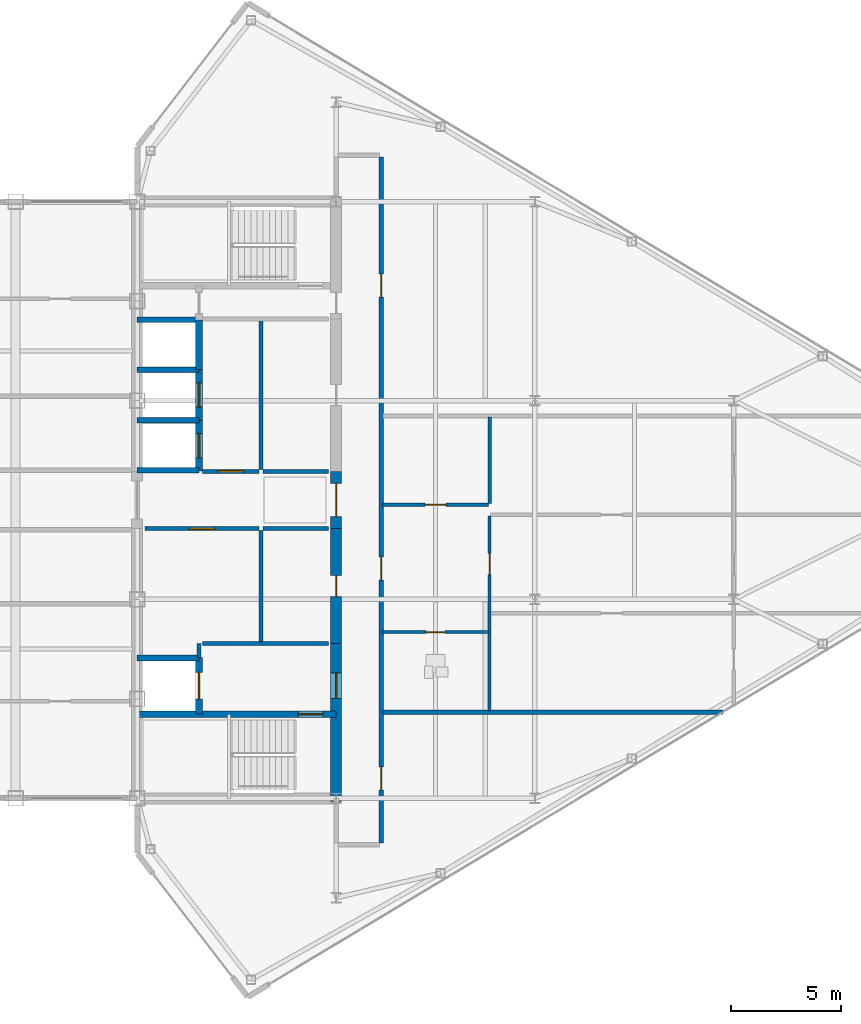
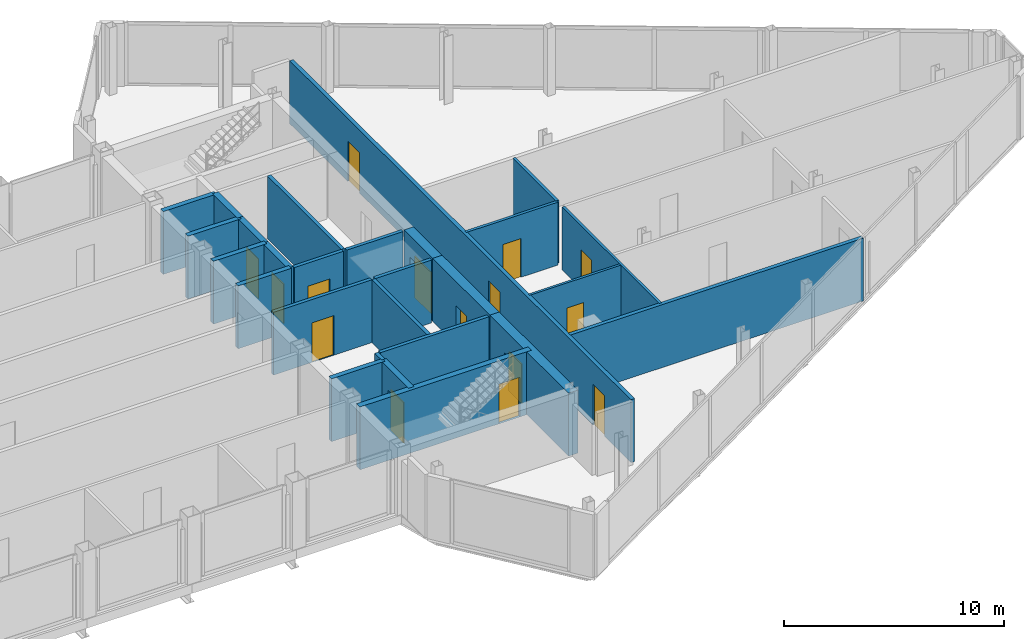
# One storey, part 24 of 28: 27 walls, 15 doors, 15 openings.
"""IFC4 building model written with IfcOpenShell, lengths in metres."""

from ifc_helpers import new_model, si_unit, direction, frame, frame_2d, origin, place, context, subcontext, project, spatial, rectangle, extrude, source, transform, mapped, material, layer, layer_set, type_object, type_shapes, element, fill, save


model = new_model("IFC4")

# Units and contexts
model_context = context("Model", 3, precision=1e-05, world=origin(), true_north=direction((0.0, 1.0)))
body_context = subcontext(model_context, "Body", "Model", "MODEL_VIEW")
ifc_project = project(units=[si_unit("LENGTHUNIT", "METRE"), si_unit("AREAUNIT", "SQUARE_METRE"), si_unit("VOLUMEUNIT", "CUBIC_METRE"), si_unit("PLANEANGLEUNIT", "RADIAN"), si_unit("MASSUNIT", "GRAM", prefix="KILO")], contexts=[model_context])

# Site, building, storey
site_placement = place(None, origin())
site = spatial("IfcSite", under=ifc_project, at=site_placement, CompositionType="ELEMENT")
building_placement = place(site_placement, origin())
building = spatial("IfcBuilding", under=site, at=building_placement, Name="Seokmaru Belvedere", CompositionType="ELEMENT")
storey_placement = place(building_placement, frame((0.0, 0.0, 265.64990234375)))
storey = spatial("IfcBuildingStorey", under=building, at=storey_placement, Name="L70", CompositionType="ELEMENT", Elevation=265.64990234375)

# Wall, opening, door
ifc_material_1 = material(Name="Fire-Rated Gypsum Shaftwall")
ifc_layer_1 = layer(ifc_material_1, 0.14990234375)
ifc_layer_set_1 = layer_set([ifc_layer_1], Name="Fire-Rated Gypsum Shaftwall")
wall_type_1 = type_object("IfcWallType", Name="Apartment Fire-Acoustic Room Partition 150", PredefinedType="PARTITIONING", material=ifc_layer_set_1)
wall_1_placement = place(storey_placement, frame((38.60009765625, -0.219970703125, 0.0), z_axis=(0.0, 0.0, 1.0), x_axis=(1.0, 0.0, 0.0)))
wall_1 = element("IfcWall", 1, at=wall_1_placement, inside=storey, type_object=wall_type_1, Name="L70 Interior Partition 014", PredefinedType="PARTITIONING", context=body_context, shape_type="SweptSolid", body=[
    extrude(rectangle(XDim=4.7998046875, YDim=0.14990234375, at=frame_2d((2.39990234375, 0.0))), origin(), (0.0, 0.0, 1.0), 3.489990234375),
])
opening_1_placement = place(wall_1_placement, frame((1.925048828125, 0.0, 0.0)))
opening_1 = element("IfcOpeningElement", 2, at=opening_1_placement, cuts=wall_1, Name="Opening D05", PredefinedType="OPENING", context=body_context, shape_type="SweptSolid", body=[
    extrude(rectangle(XDim=0.949951171875, YDim=2.14990234375, at=frame_2d((0.47509765625, 1.074951171875))), frame((0.0, 0.0849609375, 0.0), z_axis=(0.0, -1.0, 0.0), x_axis=(1.0, 0.0, 0.0)), (0.0, 0.0, 1.0), 0.169921875),
])
ifc_material_2 = material(Name="Engineered White Oak Timber", Category="wood")
door_type_1 = type_object("IfcDoorType", Name="Apartment Interior Fire-Rated Oak Door 950x2150", OperationType="NOTDEFINED", PredefinedType="DOOR", material=ifc_material_2)
shared_shape_1 = source(origin(), body_context, "Body", "SweptSolid", [
    extrude(rectangle(XDim=0.949951171875, YDim=2.14990234375, at=frame_2d((0.47509765625, 1.074951171875))), frame((0.0, 0.02490234375, 0.0), z_axis=(0.0, -1.0, 0.0), x_axis=(1.0, 0.0, 0.0)), (0.0, 0.0, 1.0), 0.050048828125),
])
type_shapes(door_type_1, [shared_shape_1])
door_1_placement = place(opening_1_placement, origin())
door_1 = element("IfcDoor", 3, at=door_1_placement, inside=storey, type_object=door_type_1, Name="L70 Interior Door 006", OperationType="SINGLE_SWING_RIGHT", OverallHeight=2.14990234375, OverallWidth=0.949951171875, PredefinedType="DOOR", context=body_context, shape_type="MappedRepresentation", body=[
    mapped(shared_shape_1, transform((0.0, 0.0, 0.0), scale=1.0)),
])
fill(opening_1, door_1)

# Walls
wall_2_placement = place(storey_placement, frame((43.449951171875, -0.16796875, 0.0), z_axis=(0.0, 0.0, 1.0), x_axis=(0.0, 1.0, 0.0)))
element("IfcWall", 4, at=wall_2_placement, inside=storey, type_object=wall_type_1, Name="L70 Interior Partition 051", PredefinedType="PARTITIONING", context=body_context, shape_type="SweptSolid", body=[
    extrude(rectangle(XDim=3.91796875, YDim=0.14990234375, at=frame_2d((1.958984375, 0.0))), origin(), (0.0, 0.0, 1.0), 3.489990234375),
])
ifc_layer_2 = layer(ifc_material_1, 0.179931640625)
ifc_layer_set_2 = layer_set([ifc_layer_2], Name="Fire-Rated Gypsum Shaftwall")
wall_type_2 = type_object("IfcWallType", Name="Core Service Fire Partition 180", PredefinedType="PARTITIONING", material=ifc_layer_set_2)
wall_3_placement = place(storey_placement, frame((30.449951171875, -6.5, 0.0), z_axis=(0.0, 0.0, 1.0), x_axis=(1.0, 0.0, 0.0)))
element("IfcWall", 5, at=wall_3_placement, inside=storey, type_object=wall_type_2, Name="L70 East Firefighting Lobby Partition", PredefinedType="PARTITIONING", context=body_context, shape_type="SweptSolid", body=[
    extrude(rectangle(XDim=5.699951171875, YDim=0.179931640625, at=frame_2d((2.85009765625, 0.0))), origin(), (0.0, 0.0, 1.0), 3.489990234375),
])
wall_4_placement = place(storey_placement, frame((30.300048828125, -7.1201171875, 0.0), z_axis=(0.0, 0.0, 1.0), x_axis=(0.0, 1.0, 0.0)))
element("IfcWall", 6, at=wall_4_placement, inside=storey, type_object=wall_type_2, Name="L70 East Firefighting Lobby East Closure Wall", PredefinedType="PARTITIONING", context=body_context, shape_type="SweptSolid", body=[
    extrude(rectangle(XDim=0.6201171875, YDim=0.179931640625, at=frame_2d((0.31005859375, 0.0))), origin(), (0.0, 0.0, 1.0), 3.489990234375),
])
wall_5_placement = place(storey_placement, frame((33.10009765625, -6.419921875, 0.0), z_axis=(0.0, 0.0, 1.0), x_axis=(0.0, 1.0, 0.0)))
element("IfcWall", 7, at=wall_5_placement, inside=storey, type_object=wall_type_2, Name="L70 East South Core Service Back Wall", PredefinedType="PARTITIONING", context=body_context, shape_type="SweptSolid", body=[
    extrude(rectangle(XDim=5.0400390625, YDim=0.179931640625, at=frame_2d((2.52001953125, 0.0))), origin(), (0.0, 0.0, 1.0), 3.489990234375),
])
wall_6_placement = place(storey_placement, frame((33.10009765625, 1.3798828125, 0.0), z_axis=(0.0, 0.0, 1.0), x_axis=(0.0, 1.0, 0.0)))
element("IfcWall", 8, at=wall_6_placement, inside=storey, type_object=wall_type_2, Name="L70 East North Core Service Back Wall", PredefinedType="PARTITIONING", context=body_context, shape_type="SweptSolid", body=[
    extrude(rectangle(XDim=6.740234375, YDim=0.179931640625, at=frame_2d((3.3701171875, 0.0))), origin(), (0.0, 0.0, 1.0), 3.489990234375),
])

# Wall, opening, door
wall_7_placement = place(storey_placement, frame((27.85009765625, -1.300048828125, 0.0), z_axis=(0.0, 0.0, 1.0), x_axis=(1.0, 0.0, 0.0)))
wall_7 = element("IfcWall", 9, at=wall_7_placement, inside=storey, type_object=wall_type_2, Name="L70 East South Lift Lobby Foyer Wall", PredefinedType="PARTITIONING", context=body_context, shape_type="SweptSolid", body=[
    extrude(rectangle(XDim=5.169921875, YDim=0.179931640625, at=frame_2d((2.5849609375, 0.0))), origin(), (0.0, 0.0, 1.0), 3.489990234375),
])
opening_2_placement = place(wall_7_placement, frame((2.010009765625, 0.0, 0.0)))
opening_2 = element("IfcOpeningElement", 10, at=opening_2_placement, cuts=wall_7, Name="Opening D02", PredefinedType="OPENING", context=body_context, shape_type="SweptSolid", body=[
    extrude(rectangle(XDim=1.14990234375, YDim=2.199951171875, at=frame_2d((0.574951171875, 1.10009765625))), frame((0.0, 0.10009765625, 0.0), z_axis=(0.0, -1.0, 0.0), x_axis=(1.0, 0.0, 0.0)), (0.0, 0.0, 1.0), 0.199951171875),
])
ifc_material_3 = material(Name="Fire-Rated Steel Leaf", Category="steel")
door_type_2 = type_object("IfcDoorType", Name="Lobby and Vestibule Fire Door 1150x2200", OperationType="NOTDEFINED", PredefinedType="DOOR", material=ifc_material_3)
shared_shape_2 = source(origin(), body_context, "Body", "SweptSolid", [
    extrude(rectangle(XDim=1.14990234375, YDim=2.199951171875, at=frame_2d((0.574951171875, 1.10009765625))), frame((0.0, 0.02490234375, 0.0), z_axis=(0.0, -1.0, 0.0), x_axis=(1.0, 0.0, 0.0)), (0.0, 0.0, 1.0), 0.050048828125),
])
type_shapes(door_type_2, [shared_shape_2])
door_2_placement = place(opening_2_placement, origin())
door_2 = element("IfcDoor", 11, at=door_2_placement, inside=storey, type_object=door_type_2, Name="L70 East South Core Foyer Door", OperationType="SINGLE_SWING_RIGHT", OverallHeight=2.199951171875, OverallWidth=1.14990234375, PredefinedType="DOOR", context=body_context, shape_type="MappedRepresentation", body=[
    mapped(shared_shape_2, transform((0.0, 0.0, 0.0), scale=1.0)),
])
fill(opening_2, door_2)

wall_8_placement = place(storey_placement, frame((30.449951171875, 1.300048828125, 0.0), z_axis=(0.0, 0.0, 1.0), x_axis=(1.0, 0.0, 0.0)))
wall_8 = element("IfcWall", 12, at=wall_8_placement, inside=storey, type_object=wall_type_2, Name="L70 East North Lift Lobby Foyer Wall", PredefinedType="PARTITIONING", context=body_context, shape_type="SweptSolid", body=[
    extrude(rectangle(XDim=2.570068359375, YDim=0.179931640625, at=frame_2d((1.28515625, 0.0))), origin(), (0.0, 0.0, 1.0), 3.489990234375),
])
opening_3_placement = place(wall_8_placement, frame((0.7099609375, 0.0, 0.0)))
opening_3 = element("IfcOpeningElement", 13, at=opening_3_placement, cuts=wall_8, Name="Opening D02", PredefinedType="OPENING", context=body_context, shape_type="SweptSolid", body=[
    extrude(rectangle(XDim=1.14990234375, YDim=2.199951171875, at=frame_2d((0.574951171875, 1.10009765625))), frame((0.0, 0.10009765625, 0.0), z_axis=(0.0, -1.0, 0.0), x_axis=(1.0, 0.0, 0.0)), (0.0, 0.0, 1.0), 0.199951171875),
])
door_3_placement = place(opening_3_placement, origin())
door_3 = element("IfcDoor", 14, at=door_3_placement, inside=storey, type_object=door_type_2, Name="L70 East North Lift Lobby Door", OperationType="SINGLE_SWING_LEFT", OverallHeight=2.199951171875, OverallWidth=1.14990234375, PredefinedType="DOOR", context=body_context, shape_type="MappedRepresentation", body=[
    mapped(shared_shape_2, transform((0.0, 0.0, 0.0), scale=1.0)),
])
fill(opening_3, door_3)

# Walls
for number, where, z_axis, x_axis, name in (
    (15, (33.199951171875, -1.300048828125, 0.0), (0.0, 0.0, 1.0), (1.0, 0.0, 0.0), "L70 East Foyer Side Wall S"),
    (16, (33.199951171875, 1.300048828125, 0.0), (0.0, 0.0, 1.0), (1.0, 0.0, 0.0), "L70 East Foyer Side Wall N"),
):
    element("IfcWall", number, at=place(storey_placement, frame(where, z_axis=z_axis, x_axis=x_axis)), inside=storey, type_object=wall_type_2, Name=name, PredefinedType="PARTITIONING", context=body_context, shape_type="SweptSolid", body=[
        extrude(rectangle(XDim=2.949951171875, YDim=0.179931640625, at=frame_2d((1.47509765625, 0.0))), origin(), (0.0, 0.0, 1.0), 3.489990234375),
    ])
ifc_material_4 = material(Name="Concrete C50 (50 MPa)", Category="concrete")
ifc_layer_3 = layer(ifc_material_4, 0.25)
ifc_layer_set_3 = layer_set([ifc_layer_3], Name="Concrete C50 (50 MPa)")
wall_type_3 = type_object("IfcWallType", Name="Hoistway Transverse Concrete Divider Wall 250", PredefinedType="SHEAR", material=ifc_layer_set_3)
for number, where, z_axis, x_axis, name in (
    (17, (27.5, -7.14990234375, 0.0), (0.0, 0.0, 1.0), (1.0, 0.0, 0.0), "L70 East Hoistway Divider Core Wall 1"),
    (18, (27.5, 1.35009765625, 0.0), (0.0, 0.0, 1.0), (1.0, 0.0, 0.0), "L70 East Hoistway Divider Core Wall 2"),
    (19, (27.5, 3.60009765625, 0.0), (0.0, 0.0, 1.0), (1.0, 0.0, 0.0), "L70 East Hoistway Divider Core Wall 3"),
    (20, (27.5, 5.89990234375, 0.0), (0.0, 0.0, 1.0), (1.0, 0.0, 0.0), "L70 East Hoistway Divider Core Wall 4"),
    (21, (27.5, 8.14990234375, 0.0), (0.0, 0.0, 1.0), (1.0, 0.0, 0.0), "L70 East Hoistway Divider Core Wall 5"),
):
    element("IfcWall", number, at=place(storey_placement, frame(where, z_axis=z_axis, x_axis=x_axis)), inside=storey, type_object=wall_type_3, Name=name, PredefinedType="SHEAR", context=body_context, shape_type="SweptSolid", body=[
        extrude(rectangle(XDim=2.800048828125, YDim=0.25, at=frame_2d((1.39990234375, 0.0))), origin(), (0.0, 0.0, 1.0), 3.489990234375),
    ])
ifc_layer_4 = layer(ifc_material_1, 0.199951171875)
ifc_layer_set_4 = layer_set([ifc_layer_4], Name="Fire-Rated Gypsum Shaftwall")
wall_type_4 = type_object("IfcWallType", Name="Inter-Tenancy Fire Compartment Partition 200", PredefinedType="PARTITIONING", material=ifc_layer_set_4)
wall_9_placement = place(storey_placement, frame((38.6298828125, -9.60009765625, 0.0), z_axis=(0.0, 0.0, 1.0), x_axis=(1.0, 0.0, 0.0)))
element("IfcWall", 22, at=wall_9_placement, inside=storey, type_object=wall_type_4, Name="L70 Interior Partition 003", PredefinedType="PARTITIONING", context=body_context, shape_type="SweptSolid", body=[
    extrude(rectangle(XDim=15.380126953125, YDim=0.199951171875, at=frame_2d((7.68994140625, 0.0))), origin(), (0.0, 0.0, 1.0), 3.489990234375),
])

# Wall, openings, doors
wall_10_placement = place(storey_placement, frame((38.550048828125, -15.514892578125, 0.0), z_axis=(0.0, 0.0, 1.0), x_axis=(0.0, 1.0, 0.0)))
wall_10 = element("IfcWall", 23, at=wall_10_placement, inside=storey, type_object=wall_type_4, Name="L70 Interior Partition 049", PredefinedType="PARTITIONING", context=body_context, shape_type="SweptSolid", body=[
    extrude(rectangle(XDim=31.02978515625, YDim=0.199951171875, at=frame_2d((15.514892578125, 0.0))), origin(), (0.0, 0.0, 1.0), 3.489990234375),
])
opening_4_placement = place(wall_10_placement, frame((2.389892578125, 0.0, 0.0)))
opening_4 = element("IfcOpeningElement", 24, at=opening_4_placement, cuts=wall_10, Name="Opening D03", PredefinedType="OPENING", context=body_context, shape_type="SweptSolid", body=[
    extrude(rectangle(XDim=1.050048828125, YDim=2.25, at=frame_2d((0.52490234375, 1.125))), frame((0.0, 0.10986328125, 0.0), z_axis=(0.0, -1.0, 0.0), x_axis=(1.0, 0.0, 0.0)), (0.0, 0.0, 1.0), 0.219970703125),
])
opening_5_placement = place(wall_10_placement, frame((11.888916015625, 0.0, 0.0)))
opening_5 = element("IfcOpeningElement", 25, at=opening_5_placement, cuts=wall_10, Name="Opening D03", PredefinedType="OPENING", context=body_context, shape_type="SweptSolid", body=[
    extrude(rectangle(XDim=1.050048828125, YDim=2.25, at=frame_2d((0.52490234375, 1.125))), frame((0.0, 0.10986328125, 0.0), z_axis=(0.0, -1.0, 0.0), x_axis=(1.0, 0.0, 0.0)), (0.0, 0.0, 1.0), 0.219970703125),
])
opening_6_placement = place(wall_10_placement, frame((24.68994140625, 0.0, 0.0)))
opening_6 = element("IfcOpeningElement", 26, at=opening_6_placement, cuts=wall_10, Name="Opening D03", PredefinedType="OPENING", context=body_context, shape_type="SweptSolid", body=[
    extrude(rectangle(XDim=1.050048828125, YDim=2.25, at=frame_2d((0.52490234375, 1.125))), frame((0.0, 0.10986328125, 0.0), z_axis=(0.0, -1.0, 0.0), x_axis=(1.0, 0.0, 0.0)), (0.0, 0.0, 1.0), 0.219970703125),
])
door_type_3 = type_object("IfcDoorType", Name="Apartment Entrance Fire Door 1050x2250", OperationType="NOTDEFINED", PredefinedType="DOOR", material=ifc_material_3)
shared_shape_3 = source(origin(), body_context, "Body", "SweptSolid", [
    extrude(rectangle(XDim=1.050048828125, YDim=2.25, at=frame_2d((0.52490234375, 1.125))), frame((0.0, 0.02490234375, 0.0), z_axis=(0.0, -1.0, 0.0), x_axis=(1.0, 0.0, 0.0)), (0.0, 0.0, 1.0), 0.050048828125),
])
type_shapes(door_type_3, [shared_shape_3])
door_4_placement = place(opening_4_placement, origin())
door_4 = element("IfcDoor", 27, at=door_4_placement, inside=storey, type_object=door_type_3, Name="L70 Interior Door 003", OperationType="SINGLE_SWING_LEFT", OverallHeight=2.25, OverallWidth=1.050048828125, PredefinedType="DOOR", context=body_context, shape_type="MappedRepresentation", body=[
    mapped(shared_shape_3, transform((0.0, 0.0, 0.0), scale=1.0)),
])
fill(opening_4, door_4)
door_5_placement = place(opening_5_placement, origin())
door_5 = element("IfcDoor", 28, at=door_5_placement, inside=storey, type_object=door_type_3, Name="L70 Interior Door 004", OperationType="SINGLE_SWING_RIGHT", OverallHeight=2.25, OverallWidth=1.050048828125, PredefinedType="DOOR", context=body_context, shape_type="MappedRepresentation", body=[
    mapped(shared_shape_3, transform((0.0, 0.0, 0.0), scale=1.0)),
])
fill(opening_5, door_5)
door_6_placement = place(opening_6_placement, origin())
door_6 = element("IfcDoor", 29, at=door_6_placement, inside=storey, type_object=door_type_3, Name="L70 Interior Door 013", OperationType="SINGLE_SWING_LEFT", OverallHeight=2.25, OverallWidth=1.050048828125, PredefinedType="DOOR", context=body_context, shape_type="MappedRepresentation", body=[
    mapped(shared_shape_3, transform((0.0, 0.0, 0.0), scale=1.0)),
])
fill(opening_6, door_6)

# Wall, opening, door
ifc_layer_5 = layer(ifc_material_4, 0.300048828125)
ifc_layer_set_5 = layer_set([ifc_layer_5], Name="Concrete C50 (50 MPa)")
wall_type_5 = type_object("IfcWallType", Name="Internal Core Stair and Hoistway Wall 300", PredefinedType="SHEAR", material=ifc_layer_set_5)
wall_11_placement = place(storey_placement, frame((27.5, -9.699951171875, 0.0), z_axis=(0.0, 0.0, 1.0), x_axis=(1.0, 0.0, 0.0)))
wall_11 = element("IfcWall", 30, at=wall_11_placement, inside=storey, type_object=wall_type_5, Name="L70 East Stair ST-1 Enclosure Wall", PredefinedType="SHEAR", context=body_context, shape_type="SweptSolid", body=[
    extrude(rectangle(XDim=9.0, YDim=0.300048828125, at=frame_2d((4.5, 0.0))), origin(), (0.0, 0.0, 1.0), 3.489990234375),
])
opening_7_placement = place(wall_11_placement, frame((7.300048828125, 0.0, 0.0)))
opening_7 = element("IfcOpeningElement", 31, at=opening_7_placement, cuts=wall_11, Name="Opening D01", PredefinedType="OPENING", context=body_context, shape_type="SweptSolid", body=[
    extrude(rectangle(XDim=1.10009765625, YDim=2.199951171875, at=frame_2d((0.550048828125, 1.10009765625))), frame((0.0, 0.16015625, 0.0), z_axis=(0.0, -1.0, 0.0), x_axis=(1.0, 0.0, 0.0)), (0.0, 0.0, 1.0), 0.320068359375),
])
door_type_4 = type_object("IfcDoorType", Name="Special Escape Stair Smokeproof Fire Door 1100x2200", OperationType="NOTDEFINED", PredefinedType="DOOR", material=ifc_material_3)
shared_shape_4 = source(origin(), body_context, "Body", "SweptSolid", [
    extrude(rectangle(XDim=1.10009765625, YDim=2.199951171875, at=frame_2d((0.550048828125, 1.10009765625))), frame((0.0, 0.02490234375, 0.0), z_axis=(0.0, -1.0, 0.0), x_axis=(1.0, 0.0, 0.0)), (0.0, 0.0, 1.0), 0.050048828125),
])
type_shapes(door_type_4, [shared_shape_4])
door_7_placement = place(opening_7_placement, frame((1.10009765625, 0.0, 0.0), z_axis=(0.0, 0.0, 1.0), x_axis=(-1.0, 0.0, 0.0)))
door_7 = element("IfcDoor", 32, at=door_7_placement, inside=storey, type_object=door_type_4, Name="L70 East Special Escape Stair ST-1 Door", OperationType="SINGLE_SWING_RIGHT", OverallHeight=2.199951171875, OverallWidth=1.10009765625, PredefinedType="DOOR", context=body_context, shape_type="MappedRepresentation", body=[
    mapped(shared_shape_4, transform((0.0, 0.0, 0.0), scale=1.0)),
])
fill(opening_7, door_7)

wall_12_placement = place(storey_placement, frame((30.300048828125, -9.679931640625, 0.0), z_axis=(0.0, 0.0, 1.0), x_axis=(0.0, 1.0, 0.0)))
wall_12 = element("IfcWall", 33, at=wall_12_placement, inside=storey, type_object=wall_type_5, Name="L70 East Firefighting Lift Shaft Front Wall", PredefinedType="SHEAR", context=body_context, shape_type="SweptSolid", body=[
    extrude(rectangle(XDim=2.559814453125, YDim=0.300048828125, at=frame_2d((1.27978515625, 0.0))), origin(), (0.0, 0.0, 1.0), 3.489990234375),
])
opening_8_placement = place(wall_12_placement, frame((0.679931640625, 0.0, 0.0)))
opening_8 = element("IfcOpeningElement", 34, at=opening_8_placement, cuts=wall_12, Name="Opening LD2", PredefinedType="OPENING", context=body_context, shape_type="SweptSolid", body=[
    extrude(rectangle(XDim=1.199951171875, YDim=2.25, at=frame_2d((0.60009765625, 1.125))), frame((0.0, 0.16015625, 0.0), z_axis=(0.0, -1.0, 0.0), x_axis=(1.0, 0.0, 0.0)), (0.0, 0.0, 1.0), 0.320068359375),
])
ifc_material_5 = material(Name="Stainless Steel 316", Category="steel")
door_type_5 = type_object("IfcDoorType", Name="Firefighting Lift Sliding Landing Door 1200x2250", OperationType="DOUBLE_DOOR_SLIDING", PredefinedType="DOOR", material=ifc_material_5)
shared_shape_5 = source(origin(), body_context, "Body", "SweptSolid", [
    extrude(rectangle(XDim=1.199951171875, YDim=2.25, at=frame_2d((0.60009765625, 1.125))), frame((0.0, 0.02490234375, 0.0), z_axis=(0.0, -1.0, 0.0), x_axis=(1.0, 0.0, 0.0)), (0.0, 0.0, 1.0), 0.050048828125),
])
type_shapes(door_type_5, [shared_shape_5])
door_8_placement = place(opening_8_placement, origin())
door_8 = element("IfcDoor", 35, at=door_8_placement, inside=storey, type_object=door_type_5, Name="L70 East Firefighting Lift Landing Door", OperationType="DOUBLE_DOOR_SLIDING", OverallHeight=2.25, OverallWidth=1.199951171875, PredefinedType="DOOR", context=body_context, shape_type="MappedRepresentation", body=[
    mapped(shared_shape_5, transform((0.0, 0.0, 0.0), scale=1.0)),
])
fill(opening_8, door_8)

wall_13_placement = place(storey_placement, frame((30.300048828125, 1.320068359375, 0.0), z_axis=(0.0, 0.0, 1.0), x_axis=(0.0, 1.0, 0.0)))
wall_13 = element("IfcWall", 36, at=wall_13_placement, inside=storey, type_object=wall_type_5, Name="L70 East North Hoistway Wall PH1", PredefinedType="SHEAR", context=body_context, shape_type="SweptSolid", body=[
    extrude(rectangle(XDim=2.280029296875, YDim=0.300048828125, at=frame_2d((1.14013671875, 0.0))), origin(), (0.0, 0.0, 1.0), 3.489990234375),
])
opening_9_placement = place(wall_13_placement, frame((0.590087890625, 0.0, 0.0)))
opening_9 = element("IfcOpeningElement", 37, at=opening_9_placement, cuts=wall_13, Name="Opening LD1", PredefinedType="OPENING", context=body_context, shape_type="SweptSolid", body=[
    extrude(rectangle(XDim=1.10009765625, YDim=2.199951171875, at=frame_2d((0.550048828125, 1.10009765625))), frame((0.0, 0.16015625, 0.0), z_axis=(0.0, -1.0, 0.0), x_axis=(1.0, 0.0, 0.0)), (0.0, 0.0, 1.0), 0.320068359375),
])
door_type_6 = type_object("IfcDoorType", Name="Passenger Lift Sliding Landing Door 1100x2200", OperationType="DOUBLE_DOOR_SLIDING", PredefinedType="DOOR", material=ifc_material_5)
shared_shape_6 = source(origin(), body_context, "Body", "SweptSolid", [
    extrude(rectangle(XDim=1.10009765625, YDim=2.199951171875, at=frame_2d((0.550048828125, 1.10009765625))), frame((0.0, 0.02490234375, 0.0), z_axis=(0.0, -1.0, 0.0), x_axis=(1.0, 0.0, 0.0)), (0.0, 0.0, 1.0), 0.050048828125),
])
type_shapes(door_type_6, [shared_shape_6])
door_9_placement = place(opening_9_placement, origin())
door_9 = element("IfcDoor", 38, at=door_9_placement, inside=storey, type_object=door_type_6, Name="L70 East High-Rise Lift PH-1 Landing Door", OperationType="DOUBLE_DOOR_SLIDING", OverallHeight=2.199951171875, OverallWidth=1.10009765625, PredefinedType="DOOR", context=body_context, shape_type="MappedRepresentation", body=[
    mapped(shared_shape_6, transform((0.0, 0.0, 0.0), scale=1.0)),
])
fill(opening_9, door_9)

wall_14_placement = place(storey_placement, frame((30.300048828125, 3.60009765625, 0.0), z_axis=(0.0, 0.0, 1.0), x_axis=(0.0, 1.0, 0.0)))
wall_14 = element("IfcWall", 39, at=wall_14_placement, inside=storey, type_object=wall_type_5, Name="L70 East North Hoistway Wall PH2", PredefinedType="SHEAR", context=body_context, shape_type="SweptSolid", body=[
    extrude(rectangle(XDim=2.2998046875, YDim=0.300048828125, at=frame_2d((1.14990234375, 0.0))), origin(), (0.0, 0.0, 1.0), 3.489990234375),
])
opening_10_placement = place(wall_14_placement, frame((0.60009765625, 0.0, 0.0)))
opening_10 = element("IfcOpeningElement", 40, at=opening_10_placement, cuts=wall_14, Name="Opening LD1", PredefinedType="OPENING", context=body_context, shape_type="SweptSolid", body=[
    extrude(rectangle(XDim=1.10009765625, YDim=2.199951171875, at=frame_2d((0.550048828125, 1.10009765625))), frame((0.0, 0.16015625, 0.0), z_axis=(0.0, -1.0, 0.0), x_axis=(1.0, 0.0, 0.0)), (0.0, 0.0, 1.0), 0.320068359375),
])
door_10_placement = place(opening_10_placement, origin())
door_10 = element("IfcDoor", 41, at=door_10_placement, inside=storey, type_object=door_type_6, Name="L70 East High-Rise Lift PH-2 Landing Door", OperationType="DOUBLE_DOOR_SLIDING", OverallHeight=2.199951171875, OverallWidth=1.10009765625, PredefinedType="DOOR", context=body_context, shape_type="MappedRepresentation", body=[
    mapped(shared_shape_6, transform((0.0, 0.0, 0.0), scale=1.0)),
])
fill(opening_10, door_10)

# Wall
wall_15_placement = place(storey_placement, frame((30.300048828125, 5.89990234375, 0.0), z_axis=(0.0, 0.0, 1.0), x_axis=(0.0, 1.0, 0.0)))
element("IfcWall", 42, at=wall_15_placement, inside=storey, type_object=wall_type_5, Name="L70 East North Hoistway Wall OBS", PredefinedType="SHEAR", context=body_context, shape_type="SweptSolid", body=[
    extrude(rectangle(XDim=2.25, YDim=0.300048828125, at=frame_2d((1.125, 0.0))), origin(), (0.0, 0.0, 1.0), 3.489990234375),
])

# Wall, opening, door
ifc_layer_6 = layer(ifc_material_1, 0.1298828125)
ifc_layer_set_6 = layer_set([ifc_layer_6], Name="Fire-Rated Gypsum Shaftwall")
wall_type_6 = type_object("IfcWallType", Name="Moisture-Resistant Fire-Rated Bathroom Partition 130", PredefinedType="PARTITIONING", material=ifc_layer_set_6)
wall_16_placement = place(storey_placement, frame((38.60009765625, -5.97998046875, 0.0), z_axis=(0.0, 0.0, 1.0), x_axis=(1.0, 0.0, 0.0)))
wall_16 = element("IfcWall", 43, at=wall_16_placement, inside=storey, type_object=wall_type_6, Name="L70 Interior Partition 008", PredefinedType="PARTITIONING", context=body_context, shape_type="SweptSolid", body=[
    extrude(rectangle(XDim=4.7998046875, YDim=0.1298828125, at=frame_2d((2.39990234375, 0.0))), origin(), (0.0, 0.0, 1.0), 3.489990234375),
])
opening_11_placement = place(wall_16_placement, frame((1.9599609375, 0.0, 0.0)))
opening_11 = element("IfcOpeningElement", 44, at=opening_11_placement, cuts=wall_16, Name="Opening D06", PredefinedType="OPENING", context=body_context, shape_type="SweptSolid", body=[
    extrude(rectangle(XDim=0.8798828125, YDim=2.10009765625, at=frame_2d((0.43994140625, 1.050048828125))), frame((0.0, 0.074951171875, 0.0), z_axis=(0.0, -1.0, 0.0), x_axis=(1.0, 0.0, 0.0)), (0.0, 0.0, 1.0), 0.14990234375),
])
door_type_7 = type_object("IfcDoorType", Name="Bathroom and Restroom Fire-Rated Door 880x2100", OperationType="NOTDEFINED", PredefinedType="DOOR", material=ifc_material_2)
shared_shape_7 = source(origin(), body_context, "Body", "SweptSolid", [
    extrude(rectangle(XDim=0.8798828125, YDim=2.10009765625, at=frame_2d((0.43994140625, 1.050048828125))), frame((0.0, 0.02490234375, 0.0), z_axis=(0.0, -1.0, 0.0), x_axis=(1.0, 0.0, 0.0)), (0.0, 0.0, 1.0), 0.050048828125),
])
type_shapes(door_type_7, [shared_shape_7])
door_11_placement = place(opening_11_placement, origin())
door_11 = element("IfcDoor", 45, at=door_11_placement, inside=storey, type_object=door_type_7, Name="L70 Interior Door 005", OperationType="SINGLE_SWING_RIGHT", OverallHeight=2.10009765625, OverallWidth=0.8798828125, PredefinedType="DOOR", context=body_context, shape_type="MappedRepresentation", body=[
    mapped(shared_shape_7, transform((0.0, 0.0, 0.0), scale=1.0)),
])
fill(opening_11, door_11)

wall_17_placement = place(storey_placement, frame((43.449951171875, -9.550048828125, 0.0), z_axis=(0.0, 0.0, 1.0), x_axis=(0.0, 1.0, 0.0)))
wall_17 = element("IfcWall", 46, at=wall_17_placement, inside=storey, type_object=wall_type_6, Name="L70 Interior Partition 050", PredefinedType="PARTITIONING", context=body_context, shape_type="SweptSolid", body=[
    extrude(rectangle(XDim=8.8330078125, YDim=0.1298828125, at=frame_2d((4.41650390625, 0.0))), origin(), (0.0, 0.0, 1.0), 3.489990234375),
])
opening_12_placement = place(wall_17_placement, frame((6.175048828125, 0.0, 0.0)))
opening_12 = element("IfcOpeningElement", 47, at=opening_12_placement, cuts=wall_17, Name="Opening D05", PredefinedType="OPENING", context=body_context, shape_type="SweptSolid", body=[
    extrude(rectangle(XDim=0.949951171875, YDim=2.14990234375, at=frame_2d((0.47509765625, 1.074951171875))), frame((0.0, 0.074951171875, 0.0), z_axis=(0.0, -1.0, 0.0), x_axis=(1.0, 0.0, 0.0)), (0.0, 0.0, 1.0), 0.14990234375),
])
door_12_placement = place(opening_12_placement, origin())
door_12 = element("IfcDoor", 48, at=door_12_placement, inside=storey, type_object=door_type_1, Name="L70 Interior Door 007", OperationType="SINGLE_SWING_LEFT", OverallHeight=2.14990234375, OverallWidth=0.949951171875, PredefinedType="DOOR", context=body_context, shape_type="MappedRepresentation", body=[
    mapped(shared_shape_1, transform((0.0, 0.0, 0.0), scale=1.0)),
])
fill(opening_12, door_12)

ifc_layer_7 = layer(ifc_material_4, 0.5)
ifc_layer_set_7 = layer_set([ifc_layer_7], Name="Concrete C50 (50 MPa)")
wall_type_7 = type_object("IfcWallType", Name="Upper Tower Reinforced Concrete Core Wall 500", PredefinedType="SHEAR", material=ifc_layer_set_7)
wall_18_placement = place(storey_placement, frame((36.5, -13.64990234375, 0.0), z_axis=(0.0, 0.0, 1.0), x_axis=(0.0, 1.0, 0.0)))
wall_18 = element("IfcWall", 49, at=wall_18_placement, inside=storey, type_object=wall_type_7, Name="L70 East West Core Wall FF", PredefinedType="SHEAR", context=body_context, shape_type="SweptSolid", body=[
    extrude(rectangle(XDim=7.14990234375, YDim=0.5, at=frame_2d((3.574951171875, 0.0))), origin(), (0.0, 0.0, 1.0), 3.489990234375),
])
opening_13_placement = place(wall_18_placement, frame((4.675048828125, 0.0, 0.0)))
opening_13 = element("IfcOpeningElement", 50, at=opening_13_placement, cuts=wall_18, Name="Opening D02", PredefinedType="OPENING", context=body_context, shape_type="SweptSolid", body=[
    extrude(rectangle(XDim=1.14990234375, YDim=2.199951171875, at=frame_2d((0.574951171875, 1.10009765625))), frame((0.0, 0.260009765625, 0.0), z_axis=(0.0, -1.0, 0.0), x_axis=(1.0, 0.0, 0.0)), (0.0, 0.0, 1.0), 0.52001953125),
])
door_13_placement = place(opening_13_placement, origin())
door_13 = element("IfcDoor", 51, at=door_13_placement, inside=storey, type_object=door_type_2, Name="L70 East Firefighting Lobby Door", OperationType="SINGLE_SWING_RIGHT", OverallHeight=2.199951171875, OverallWidth=1.14990234375, PredefinedType="DOOR", context=body_context, shape_type="MappedRepresentation", body=[
    mapped(shared_shape_2, transform((0.0, 0.0, 0.0), scale=1.0)),
])
fill(opening_13, door_13)

wall_19_placement = place(storey_placement, frame((36.5, -1.300048828125, 0.0), z_axis=(0.0, 0.0, 1.0), x_axis=(0.0, 1.0, 0.0)))
wall_19 = element("IfcWall", 52, at=wall_19_placement, inside=storey, type_object=wall_type_7, Name="L70 East West Core Wall FOY", PredefinedType="SHEAR", context=body_context, shape_type="SweptSolid", body=[
    extrude(rectangle(XDim=2.60009765625, YDim=0.5, at=frame_2d((1.300048828125, 0.0))), origin(), (0.0, 0.0, 1.0), 3.489990234375),
])
opening_14_placement = place(wall_19_placement, frame((0.550048828125, 0.0, 0.0)))
opening_14 = element("IfcOpeningElement", 53, at=opening_14_placement, cuts=wall_19, Name="Opening D08", PredefinedType="OPENING", context=body_context, shape_type="SweptSolid", body=[
    extrude(rectangle(XDim=1.5, YDim=2.300048828125, at=frame_2d((0.75, 1.14990234375))), frame((0.0, 0.260009765625, 0.0), z_axis=(0.0, -1.0, 0.0), x_axis=(1.0, 0.0, 0.0)), (0.0, 0.0, 1.0), 0.52001953125),
])
door_type_8 = type_object("IfcDoorType", Name="Cross-Corridor Compartment Double Fire Door 1500x2300", OperationType="DOUBLE_SWING_LEFT", PredefinedType="DOOR", material=ifc_material_3)
shared_shape_8 = source(origin(), body_context, "Body", "SweptSolid", [
    extrude(rectangle(XDim=1.5, YDim=2.300048828125, at=frame_2d((0.75, 1.14990234375))), frame((0.0, 0.02490234375, 0.0), z_axis=(0.0, -1.0, 0.0), x_axis=(1.0, 0.0, 0.0)), (0.0, 0.0, 1.0), 0.050048828125),
])
type_shapes(door_type_8, [shared_shape_8])
door_14_placement = place(opening_14_placement, origin())
door_14 = element("IfcDoor", 54, at=door_14_placement, inside=storey, type_object=door_type_8, Name="L70 East Core Foyer Compartment Door", OperationType="DOUBLE_SWING_LEFT", OverallHeight=2.300048828125, OverallWidth=1.5, PredefinedType="DOOR", context=body_context, shape_type="MappedRepresentation", body=[
    mapped(shared_shape_8, transform((0.0, 0.0, 0.0), scale=1.0)),
])
fill(opening_14, door_14)

wall_20_placement = place(storey_placement, frame((36.5, -6.5, 0.0), z_axis=(0.0, 0.0, 1.0), x_axis=(0.0, 1.0, 0.0)))
wall_20 = element("IfcWall", 55, at=wall_20_placement, inside=storey, type_object=wall_type_7, Name="L70 East West Core Wall CS1", PredefinedType="SHEAR", context=body_context, shape_type="SweptSolid", body=[
    extrude(rectangle(XDim=5.199951171875, YDim=0.5, at=frame_2d((2.60009765625, 0.0))), origin(), (0.0, 0.0, 1.0), 3.489990234375),
])
opening_15_placement = place(wall_20_placement, frame((2.125, 0.0, 0.0)))
opening_15 = element("IfcOpeningElement", 56, at=opening_15_placement, cuts=wall_20, Name="Opening D04", PredefinedType="OPENING", context=body_context, shape_type="SweptSolid", body=[
    extrude(rectangle(XDim=0.949951171875, YDim=2.14990234375, at=frame_2d((0.47509765625, 1.074951171875))), frame((0.0, 0.260009765625, 0.0), z_axis=(0.0, -1.0, 0.0), x_axis=(1.0, 0.0, 0.0)), (0.0, 0.0, 1.0), 0.52001953125),
])
door_type_9 = type_object("IfcDoorType", Name="Core Service Room Fire Door 950x2150", OperationType="NOTDEFINED", PredefinedType="DOOR", material=ifc_material_3)
shared_shape_9 = source(origin(), body_context, "Body", "SweptSolid", [
    extrude(rectangle(XDim=0.949951171875, YDim=2.14990234375, at=frame_2d((0.47509765625, 1.074951171875))), frame((0.0, 0.02490234375, 0.0), z_axis=(0.0, -1.0, 0.0), x_axis=(1.0, 0.0, 0.0)), (0.0, 0.0, 1.0), 0.050048828125),
])
type_shapes(door_type_9, [shared_shape_9])
door_15_placement = place(opening_15_placement, origin())
door_15 = element("IfcDoor", 57, at=door_15_placement, inside=storey, type_object=door_type_9, Name="L70 East Core Service Room Door 1", OperationType="SINGLE_SWING_RIGHT", OverallHeight=2.14990234375, OverallWidth=0.949951171875, PredefinedType="DOOR", context=body_context, shape_type="MappedRepresentation", body=[
    mapped(shared_shape_9, transform((0.0, 0.0, 0.0), scale=1.0)),
])
fill(opening_15, door_15)

save(model, "model.ifc")
